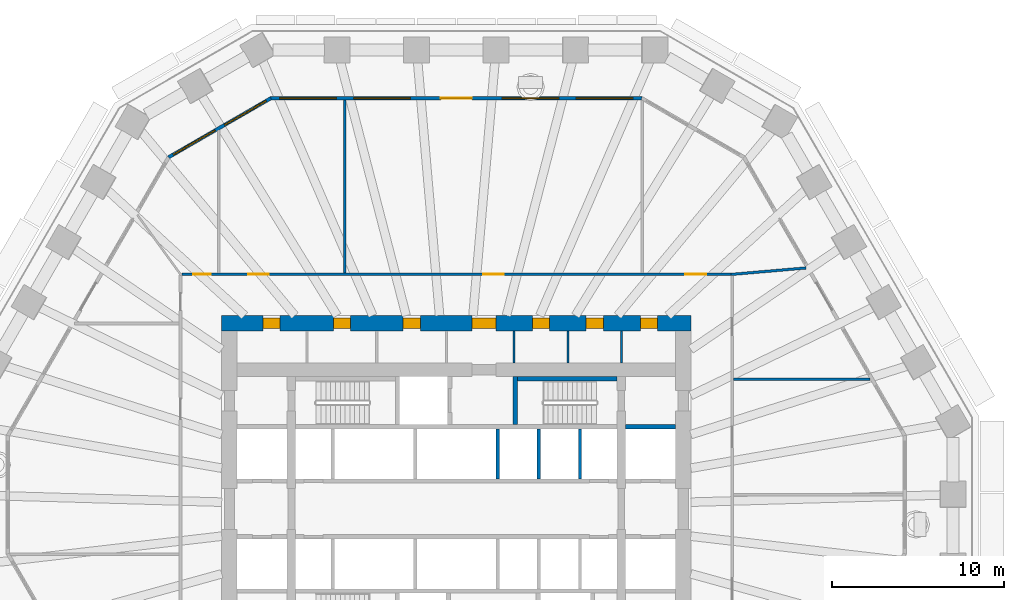
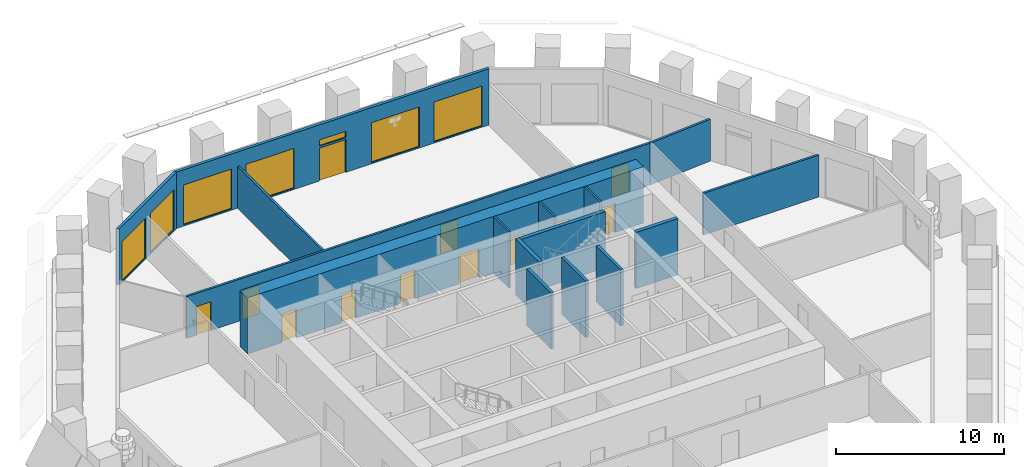
# One storey, part 7 of 12: 16 walls, 12 doors, 7 windows, 19 openings.
"""IFC4 building model written with IfcOpenShell, lengths in metres."""

import ifcopenshell
import ifcopenshell.guid

model = None  # the IFC model being written
_history = None  # IfcOwnerHistory: only IFC2X3 demands one
_inside = {}  # id of a spatial element -> (the spatial element, [elements in it])
_under = {}  # id of a project, library or spatial element -> (it, [spatial elements below it])
_declared = {}  # id of a project -> (the project, [libraries it declares])
_typed = {}  # id of a type object -> (the type object, [elements of that type])
_made_of = {}  # id of a material, layer set ... -> (it, [elements and type objects made of it])


def new_model(schema):
    """Start an empty IFC model of exactly this schema.

    Asked for "IFC4X3", IfcOpenShell would pick the latest addendum, in which some entities
    have other attributes; the version numbers below select the first issue.
    IFC2X3 requires an IfcOwnerHistory on every rooted entity: one is made here for all.
    """
    global model, _history
    if schema == "IFC4X3":
        model = ifcopenshell.file(schema_version=(4, 3, 0, 0))
    else:
        model = ifcopenshell.file(schema=schema)
    _inside.clear()
    _under.clear()
    _declared.clear()
    _typed.clear()
    _made_of.clear()
    _history = None
    if model.schema == "IFC2X3":
        org = make("IfcOrganization", Name="unknown")
        user = make(
            "IfcPersonAndOrganization",
            ThePerson=make("IfcPerson", FamilyName="unknown"),
            TheOrganization=org,
        )
        app = make(
            "IfcApplication",
            ApplicationDeveloper=org,
            Version="unknown",
            ApplicationFullName="unknown",
            ApplicationIdentifier="unknown",
        )
        _history = make(
            "IfcOwnerHistory",
            OwningUser=user,
            OwningApplication=app,
            ChangeAction="ADDED",
            CreationDate=0,
        )
    return model


def make(cls, **values):
    """One entity of the class cls with the attributes given. An attribute that is None is left unset."""
    return model.create_entity(
        cls, **{name: value for name, value in values.items() if value is not None}
    )


def rooted(cls, **values):
    """An entity with a GlobalId (a new one), such as an element, a storey or a relation."""
    return make(cls, GlobalId=ifcopenshell.guid.new(), OwnerHistory=_history, **values)


def si_unit(unit_type, name, prefix=None):
    """IfcSIUnit, for example si_unit("LENGTHUNIT", "METRE", prefix="MILLI")."""
    return make("IfcSIUnit", UnitType=unit_type, Prefix=prefix, Name=name)


def assignment(units):
    """IfcUnitAssignment: the units of a project."""
    return None if units is None else make("IfcUnitAssignment", Units=units)


def point(xyz):
    """IfcCartesianPoint."""
    return None if xyz is None else make("IfcCartesianPoint", Coordinates=xyz)


def direction(xyz):
    """IfcDirection."""
    return None if xyz is None else make("IfcDirection", DirectionRatios=xyz)


def frame(location, z_axis=None, x_axis=None):
    """IfcAxis2Placement3D, a coordinate frame: its origin and axes. An axis left out is left unset."""
    return make(
        "IfcAxis2Placement3D",
        Location=point(location),
        Axis=direction(z_axis),
        RefDirection=direction(x_axis),
    )


def frame_2d(location, x_axis=None):
    """IfcAxis2Placement2D, a coordinate frame in the plane: its origin and x axis."""
    return make(
        "IfcAxis2Placement2D", Location=point(location), RefDirection=direction(x_axis)
    )


def origin():
    """The frame at (0, 0, 0) with its axes left unset."""
    return frame((0.0, 0.0, 0.0))


def place(relative_to, where):
    """IfcLocalPlacement: puts the frame where relative to a parent placement (None: the world)."""
    return make(
        "IfcLocalPlacement", PlacementRelTo=relative_to, RelativePlacement=where
    )


def context(
    kind, dimensions, precision=None, world=None, true_north=None, identifier=None
):
    """IfcGeometricRepresentationContext, for example the 3D "Model" context."""
    return make(
        "IfcGeometricRepresentationContext",
        ContextIdentifier=identifier,
        ContextType=kind,
        CoordinateSpaceDimension=dimensions,
        Precision=precision,
        WorldCoordinateSystem=world,
        TrueNorth=true_north,
    )


def subcontext(parent, identifier, kind, view, scale=None):
    """IfcGeometricRepresentationSubContext, for example "Body" below "Model"."""
    return make(
        "IfcGeometricRepresentationSubContext",
        ContextIdentifier=identifier,
        ContextType=kind,
        ParentContext=parent,
        TargetScale=scale,
        TargetView=view,
    )


def project(units=None, contexts=None):
    """IfcProject with its units and contexts."""
    return rooted(
        "IfcProject",
        Name="project",
        RepresentationContexts=contexts,
        UnitsInContext=assignment(units),
    )


def spatial(cls, under=None, at=None, **own):
    """A site, building, storey or space (cls), placed at a placement, below another one or the project."""
    s = rooted(cls, ObjectPlacement=at, **own)
    if under is not None:
        _under.setdefault(under.id(), (under, []))[1].append(s)
    return s


def polyline(points):
    """IfcPolyline through the points."""
    return make("IfcPolyline", Points=[point(p) for p in points])


def profile(cls, at=None, kind="AREA", **sizes):
    """A parametric profile (cls). Its sizes go by their IFC names, for example OverallWidth=200.0."""
    return make(cls, ProfileType=kind, Position=at, **sizes)


def rectangle(**sizes):
    """IfcRectangleProfileDef."""
    return profile("IfcRectangleProfileDef", **sizes)


def outline(outer, holes=None, kind="AREA"):
    """IfcArbitraryClosedProfileDef: a profile drawn as a closed curve; with holes, ...WithVoids."""
    if holes is None:
        return make("IfcArbitraryClosedProfileDef", ProfileType=kind, OuterCurve=outer)
    return make(
        "IfcArbitraryProfileDefWithVoids",
        ProfileType=kind,
        OuterCurve=outer,
        InnerCurves=holes,
    )


def extrude(swept, where, along, depth):
    """IfcExtrudedAreaSolid: the profile swept, set in the frame where, extruded along a direction by depth."""
    return make(
        "IfcExtrudedAreaSolid",
        SweptArea=swept,
        Position=where,
        ExtrudedDirection=direction(along),
        Depth=depth,
    )


def shape(context_of_items, identifier, shape_type, items):
    """IfcShapeRepresentation: the items that make up one representation, for example the "Body"."""
    return make(
        "IfcShapeRepresentation",
        ContextOfItems=context_of_items,
        RepresentationIdentifier=identifier,
        RepresentationType=shape_type,
        Items=items,
    )


def material(Name=None, Category=None):
    """IfcMaterial."""
    return make("IfcMaterial", Name=Name, Category=Category)


def layer(
    of_material, thickness, ventilated=None, Name=None, Category=None, Priority=None
):
    """IfcMaterialLayer: one layer of a wall or slab, of a material (None: an air gap)."""
    return make(
        "IfcMaterialLayer",
        Material=of_material,
        LayerThickness=thickness,
        IsVentilated=ventilated,
        Name=Name,
        Category=Category,
        Priority=Priority,
    )


def layer_set(layers, Name=None):
    """IfcMaterialLayerSet."""
    return make("IfcMaterialLayerSet", MaterialLayers=layers, LayerSetName=Name)


def made_of(thing, what):
    """Note that an element or type object is made of a material, layer set ...; save() writes the relation."""
    if what is not None:
        _made_of.setdefault(what.id(), (what, []))[1].append(thing)
    return thing


def type_object(cls, material=None, **own):
    """A type object (cls), such as IfcWallType, which elements share."""
    return made_of(rooted(cls, **own), material)


def element(
    cls,
    number,
    at=None,
    inside=None,
    cuts=None,
    type_object=None,
    material=None,
    context=None,
    identifier="Body",
    shape_type=None,
    held_by="IfcProductDefinitionShape",
    body=None,
    shapes=None,
    **own,
):
    """One element of the class cls, such as IfcWall. Its Tag is "e" and its number.

    at: its placement. inside: the storey or other place that contains it. cuts: it is an
    opening in that element (IfcRelVoidsElement). A single representation is given by context,
    identifier, shape_type and body (its items); several are given by shapes. held_by: the class
    of the entity that holds the representations. save() writes the other relations.
    """
    e = rooted(cls, Tag="e%d" % number, ObjectPlacement=at, **own)
    if body is not None:
        shapes = [shape(context, identifier, shape_type, body)]
    if shapes is not None:
        e.Representation = make(held_by, Representations=shapes)
    if inside is not None:
        _inside.setdefault(inside.id(), (inside, []))[1].append(e)
    if cuts is not None:
        rooted(
            "IfcRelVoidsElement", RelatingBuildingElement=cuts, RelatedOpeningElement=e
        )
    if type_object is not None:
        _typed.setdefault(type_object.id(), (type_object, []))[1].append(e)
    return made_of(e, material)


def fill(opening, filler):
    """IfcRelFillsElement: the door or window that sits in an opening."""
    return rooted(
        "IfcRelFillsElement",
        RelatingOpeningElement=opening,
        RelatedBuildingElement=filler,
    )


def aggregate(whole, parts):
    """IfcRelAggregates: a whole, such as a stair, and the parts it consists of."""
    return rooted("IfcRelAggregates", RelatingObject=whole, RelatedObjects=parts)


def save(model, path):
    """Write the relations noted so far, then the file.

    IfcRelAggregates (storeys below a building ...), IfcRelContainedInSpatialStructure (elements
    in a storey), IfcRelDefinesByType, IfcRelAssociatesMaterial and IfcRelDeclares: one each for
    every whole, place, type object, material and project.
    """
    for whole, parts in _under.values():
        aggregate(whole, parts)
    for where, things in _inside.values():
        rooted(
            "IfcRelContainedInSpatialStructure",
            RelatedElements=things,
            RelatingStructure=where,
        )
    for kind, things in _typed.values():
        rooted("IfcRelDefinesByType", RelatedObjects=things, RelatingType=kind)
    for what, things in _made_of.values():
        rooted("IfcRelAssociatesMaterial", RelatedObjects=things, RelatingMaterial=what)
    for by, libraries in _declared.values():
        rooted("IfcRelDeclares", RelatingContext=by, RelatedDefinitions=libraries)
    model.write(path)


model = new_model("IFC4")

# Units and contexts
model_context = context("Model", 3, precision=1e-05, world=origin(), true_north=direction((0.0, 1.0)))
body_context = subcontext(model_context, "Body", "Model", "MODEL_VIEW")
ifc_project = project(units=[si_unit("LENGTHUNIT", "METRE"), si_unit("AREAUNIT", "SQUARE_METRE"), si_unit("VOLUMEUNIT", "CUBIC_METRE"), si_unit("PLANEANGLEUNIT", "RADIAN"), si_unit("MASSUNIT", "GRAM", prefix="KILO")], contexts=[model_context])

# Site, building, storey
site_placement = place(None, origin())
site = spatial("IfcSite", under=ifc_project, at=site_placement, CompositionType="ELEMENT")
building_placement = place(site_placement, origin())
building = spatial("IfcBuilding", under=site, at=building_placement, Name="Frailejon Research Tower", CompositionType="ELEMENT")
storey_placement = place(building_placement, frame((0.0, 0.0, 41.0)))
storey = spatial("IfcBuildingStorey", under=building, at=storey_placement, Name="L09", CompositionType="ELEMENT", Elevation=41.0)

# Walls
ifc_material_1 = material(Name="Plasterboard on steel studs", Category="steel")
ifc_layer_1 = layer(ifc_material_1, 0.125)
ifc_layer_set_1 = layer_set([ifc_layer_1], Name="Core partition 125")
wall_type_1 = type_object("IfcWallType", Name="Core partition 125", PredefinedType="PARTITIONING", material=ifc_layer_set_1)
for number, where, z_axis, x_axis, name in (
    (1, (3.362548828125, 8.5, 0.0), (0.0, 0.0, 1.0), (0.0, 1.0, 0.0), "Core partition"),
    (2, (6.49169921875, 8.5, 0.0), (0.0, 0.0, 1.0), (0.0, 1.0, 0.0), "Core partition"),
    (3, (9.620849609375, 8.5, 0.0), (0.0, 0.0, 1.0), (0.0, 1.0, 0.0), "Core partition"),
):
    element("IfcWall", number, at=place(storey_placement, frame(where, z_axis=z_axis, x_axis=x_axis)), inside=storey, type_object=wall_type_1, Name=name, PredefinedType="PARTITIONING", context=body_context, shape_type="SweptSolid", body=[
        extrude(rectangle(XDim=1.85009765625, YDim=0.125, at=frame_2d((0.925048828125, 0.0))), origin(), (0.0, 0.0, 1.0), 4.10009765625),
    ])

# Wall, openings, doors
ifc_material_2 = material(Name="Concrete C70/85", Category="concrete")
ifc_layer_2 = layer(ifc_material_2, 0.89990234375)
ifc_layer_set_2 = layer_set([ifc_layer_2], Name="Core shear wall 900 C70/85")
wall_type_2 = type_object("IfcWallType", Name="Core shear wall 900 C70/85", PredefinedType="SHEAR", material=ifc_layer_set_2)
wall_1_placement = place(storey_placement, frame((-13.64990234375, 10.800048828125, 0.0), z_axis=(0.0, 0.0, 1.0), x_axis=(1.0, 0.0, 0.0)))
wall_1 = element("IfcWall", 4, at=wall_1_placement, inside=storey, type_object=wall_type_2, Name="Core shear wall", PredefinedType="SHEAR", context=body_context, shape_type="SweptSolid", body=[
    extrude(rectangle(XDim=27.2998046875, YDim=0.89990234375, at=frame_2d((13.64990234375, 0.0))), origin(), (0.0, 0.0, 1.0), 4.10009765625),
])
opening_1_placement = place(wall_1_placement, frame((2.39990234375, 0.0, 0.0)))
opening_1 = element("IfcOpeningElement", 5, at=opening_1_placement, cuts=wall_1, Name="Opening D4", PredefinedType="OPENING", context=body_context, shape_type="SweptSolid", body=[
    extrude(rectangle(XDim=1.0, YDim=2.10009765625, at=frame_2d((0.5, 1.050048828125))), frame((0.0, 0.4599609375, 0.0), z_axis=(0.0, -1.0, 0.0), x_axis=(1.0, 0.0, 0.0)), (0.0, 0.0, 1.0), 0.919921875),
])
opening_2_placement = place(wall_1_placement, frame((6.49365234375, 0.0, 0.0)))
opening_2 = element("IfcOpeningElement", 6, at=opening_2_placement, cuts=wall_1, Name="Opening D4", PredefinedType="OPENING", context=body_context, shape_type="SweptSolid", body=[
    extrude(rectangle(XDim=1.0, YDim=2.10009765625, at=frame_2d((0.5, 1.050048828125))), frame((0.0, 0.4599609375, 0.0), z_axis=(0.0, -1.0, 0.0), x_axis=(1.0, 0.0, 0.0)), (0.0, 0.0, 1.0), 0.919921875),
])
opening_3_placement = place(wall_1_placement, frame((10.55615234375, 0.0, 0.0)))
opening_3 = element("IfcOpeningElement", 7, at=opening_3_placement, cuts=wall_1, Name="Opening D4", PredefinedType="OPENING", context=body_context, shape_type="SweptSolid", body=[
    extrude(rectangle(XDim=1.0, YDim=2.10009765625, at=frame_2d((0.5, 1.050048828125))), frame((0.0, 0.4599609375, 0.0), z_axis=(0.0, -1.0, 0.0), x_axis=(1.0, 0.0, 0.0)), (0.0, 0.0, 1.0), 0.919921875),
])
opening_4_placement = place(wall_1_placement, frame((18.0771484375, 0.0, 0.0)))
opening_4 = element("IfcOpeningElement", 8, at=opening_4_placement, cuts=wall_1, Name="Opening D4", PredefinedType="OPENING", context=body_context, shape_type="SweptSolid", body=[
    extrude(rectangle(XDim=1.0, YDim=2.10009765625, at=frame_2d((0.5, 1.050048828125))), frame((0.0, 0.4599609375, 0.0), z_axis=(0.0, -1.0, 0.0), x_axis=(1.0, 0.0, 0.0)), (0.0, 0.0, 1.0), 0.919921875),
])
opening_5_placement = place(wall_1_placement, frame((21.206298828125, 0.0, 0.0)))
opening_5 = element("IfcOpeningElement", 9, at=opening_5_placement, cuts=wall_1, Name="Opening D4", PredefinedType="OPENING", context=body_context, shape_type="SweptSolid", body=[
    extrude(rectangle(XDim=1.0, YDim=2.10009765625, at=frame_2d((0.5, 1.050048828125))), frame((0.0, 0.4599609375, 0.0), z_axis=(0.0, -1.0, 0.0), x_axis=(1.0, 0.0, 0.0)), (0.0, 0.0, 1.0), 0.919921875),
])
opening_6_placement = place(wall_1_placement, frame((24.36669921875, 0.0, 0.0)))
opening_6 = element("IfcOpeningElement", 10, at=opening_6_placement, cuts=wall_1, Name="Opening D4", PredefinedType="OPENING", context=body_context, shape_type="SweptSolid", body=[
    extrude(rectangle(XDim=1.0, YDim=2.10009765625, at=frame_2d((0.5, 1.050048828125))), frame((0.0, 0.4599609375, 0.0), z_axis=(0.0, -1.0, 0.0), x_axis=(1.0, 0.0, 0.0)), (0.0, 0.0, 1.0), 0.919921875),
])
opening_7_placement = place(wall_1_placement, frame((14.574951171875, 0.0, 0.0)))
opening_7 = element("IfcOpeningElement", 11, at=opening_7_placement, cuts=wall_1, Name="Opening D9", PredefinedType="OPENING", context=body_context, shape_type="SweptSolid", body=[
    extrude(rectangle(XDim=1.39990234375, YDim=2.10009765625, at=frame_2d((0.699951171875, 1.050048828125))), frame((0.0, 0.4599609375, 0.0), z_axis=(0.0, -1.0, 0.0), x_axis=(1.0, 0.0, 0.0)), (0.0, 0.0, 1.0), 0.919921875),
])
ifc_material_3 = material(Name="Steel", Category="steel")
door_type_1 = type_object("IfcDoorType", Name="Goods lobby door", OperationType="DOUBLE_DOOR_SINGLE_SWING", PredefinedType="DOOR", material=ifc_material_3)
door_1_placement = place(opening_7_placement, origin())
door_1 = element("IfcDoor", 12, at=door_1_placement, inside=storey, type_object=door_type_1, Name="Passage door", OperationType="DOUBLE_DOOR_SINGLE_SWING", OverallHeight=2.10009765625, OverallWidth=1.39990234375, PredefinedType="DOOR", context=body_context, shape_type="SweptSolid", body=[
    extrude(rectangle(XDim=1.39990234375, YDim=2.10009765625, at=frame_2d((0.699951171875, 1.050048828125))), frame((0.0, 0.300048828125, 0.0), z_axis=(0.0, -1.0, 0.0), x_axis=(1.0, 0.0, 0.0)), (0.0, 0.0, 1.0), 0.60009765625),
])
fill(opening_7, door_1)
ifc_material_4 = material(Name="Steel", Category="steel")
door_type_2 = type_object("IfcDoorType", Name="Service door", OperationType="SINGLE_SWING_LEFT", PredefinedType="DOOR", material=ifc_material_4)
door_2_placement = place(opening_1_placement, origin())
door_2 = element("IfcDoor", 13, at=door_2_placement, inside=storey, type_object=door_type_2, Name="Room door", OperationType="SINGLE_SWING_RIGHT", OverallHeight=2.10009765625, OverallWidth=1.0, PredefinedType="DOOR", context=body_context, shape_type="SweptSolid", body=[
    extrude(rectangle(XDim=1.0, YDim=2.10009765625, at=frame_2d((0.5, 1.050048828125))), frame((0.0, 0.300048828125, 0.0), z_axis=(0.0, -1.0, 0.0), x_axis=(1.0, 0.0, 0.0)), (0.0, 0.0, 1.0), 0.60009765625),
])
fill(opening_1, door_2)
door_3_placement = place(opening_2_placement, origin())
door_3 = element("IfcDoor", 14, at=door_3_placement, inside=storey, type_object=door_type_2, Name="Room door", OperationType="SINGLE_SWING_LEFT", OverallHeight=2.10009765625, OverallWidth=1.0, PredefinedType="DOOR", context=body_context, shape_type="SweptSolid", body=[
    extrude(rectangle(XDim=1.0, YDim=2.10009765625, at=frame_2d((0.5, 1.050048828125))), frame((0.0, 0.300048828125, 0.0), z_axis=(0.0, -1.0, 0.0), x_axis=(1.0, 0.0, 0.0)), (0.0, 0.0, 1.0), 0.60009765625),
])
fill(opening_2, door_3)
door_4_placement = place(opening_3_placement, origin())
door_4 = element("IfcDoor", 15, at=door_4_placement, inside=storey, type_object=door_type_2, Name="Room door", OperationType="SINGLE_SWING_RIGHT", OverallHeight=2.10009765625, OverallWidth=1.0, PredefinedType="DOOR", context=body_context, shape_type="SweptSolid", body=[
    extrude(rectangle(XDim=1.0, YDim=2.10009765625, at=frame_2d((0.5, 1.050048828125))), frame((0.0, 0.300048828125, 0.0), z_axis=(0.0, -1.0, 0.0), x_axis=(1.0, 0.0, 0.0)), (0.0, 0.0, 1.0), 0.60009765625),
])
fill(opening_3, door_4)
door_5_placement = place(opening_4_placement, origin())
door_5 = element("IfcDoor", 16, at=door_5_placement, inside=storey, type_object=door_type_2, Name="Room door", OperationType="SINGLE_SWING_LEFT", OverallHeight=2.10009765625, OverallWidth=1.0, PredefinedType="DOOR", context=body_context, shape_type="SweptSolid", body=[
    extrude(rectangle(XDim=1.0, YDim=2.10009765625, at=frame_2d((0.5, 1.050048828125))), frame((0.0, 0.300048828125, 0.0), z_axis=(0.0, -1.0, 0.0), x_axis=(1.0, 0.0, 0.0)), (0.0, 0.0, 1.0), 0.60009765625),
])
fill(opening_4, door_5)
door_6_placement = place(opening_5_placement, origin())
door_6 = element("IfcDoor", 17, at=door_6_placement, inside=storey, type_object=door_type_2, Name="Room door", OperationType="SINGLE_SWING_RIGHT", OverallHeight=2.10009765625, OverallWidth=1.0, PredefinedType="DOOR", context=body_context, shape_type="SweptSolid", body=[
    extrude(rectangle(XDim=1.0, YDim=2.10009765625, at=frame_2d((0.5, 1.050048828125))), frame((0.0, 0.300048828125, 0.0), z_axis=(0.0, -1.0, 0.0), x_axis=(1.0, 0.0, 0.0)), (0.0, 0.0, 1.0), 0.60009765625),
])
fill(opening_5, door_6)
door_7_placement = place(opening_6_placement, origin())
door_7 = element("IfcDoor", 18, at=door_7_placement, inside=storey, type_object=door_type_2, Name="Room door", OperationType="SINGLE_SWING_LEFT", OverallHeight=2.10009765625, OverallWidth=1.0, PredefinedType="DOOR", context=body_context, shape_type="SweptSolid", body=[
    extrude(rectangle(XDim=1.0, YDim=2.10009765625, at=frame_2d((0.5, 1.050048828125))), frame((0.0, 0.300048828125, 0.0), z_axis=(0.0, -1.0, 0.0), x_axis=(1.0, 0.0, 0.0)), (0.0, 0.0, 1.0), 0.60009765625),
])
fill(opening_6, door_7)

ifc_material_5 = material(Name="Gypsum board and masonry partition", Category="masonry")
ifc_layer_3 = layer(ifc_material_5, 0.14990234375)
ifc_layer_set_3 = layer_set([ifc_layer_3], Name="Corridor wall EI 60, gypsum on steel studs 150")
wall_type_3 = type_object("IfcWallType", Name="Corridor wall EI 60, gypsum on steel studs 150", PredefinedType="PARTITIONING", material=ifc_layer_set_3)
wall_2_placement = place(storey_placement, frame((-15.97509765625, 13.64990234375, 0.0), z_axis=(0.0, 0.0, 1.0), x_axis=(1.0, 0.0, 0.0)))
wall_2 = element("IfcWall", 19, at=wall_2_placement, inside=storey, type_object=wall_type_3, Name="T:IW:L09:002", PredefinedType="PARTITIONING", context=body_context, shape_type="SweptSolid", body=[
    extrude(rectangle(XDim=31.9501953125, YDim=0.14990234375, at=frame_2d((15.97509765625, 0.0))), origin(), (0.0, 0.0, 1.0), 3.050048828125),
])
opening_8_placement = place(wall_2_placement, frame((29.3076171875, 0.0, 0.0)))
opening_8 = element("IfcOpeningElement", 20, at=opening_8_placement, cuts=wall_2, Name="Opening D1374", PredefinedType="OPENING", context=body_context, shape_type="SweptSolid", body=[
    extrude(rectangle(XDim=1.199951171875, YDim=2.10009765625, at=frame_2d((0.60009765625, 1.050048828125))), frame((0.0, 0.0849609375, 0.0), z_axis=(0.0, -1.0, 0.0), x_axis=(1.0, 0.0, 0.0)), (0.0, 0.0, 1.0), 0.169921875),
])
opening_9_placement = place(wall_2_placement, frame((17.537841796875, 0.0, 0.0)))
opening_9 = element("IfcOpeningElement", 21, at=opening_9_placement, cuts=wall_2, Name="Opening D1375", PredefinedType="OPENING", context=body_context, shape_type="SweptSolid", body=[
    extrude(rectangle(XDim=1.199951171875, YDim=2.10009765625, at=frame_2d((0.60009765625, 1.050048828125))), frame((0.0, 0.0849609375, 0.0), z_axis=(0.0, -1.0, 0.0), x_axis=(1.0, 0.0, 0.0)), (0.0, 0.0, 1.0), 0.169921875),
])
opening_10_placement = place(wall_2_placement, frame((3.866943359375, 0.0, 0.0)))
opening_10 = element("IfcOpeningElement", 22, at=opening_10_placement, cuts=wall_2, Name="Opening D1376", PredefinedType="OPENING", context=body_context, shape_type="SweptSolid", body=[
    extrude(rectangle(XDim=1.199951171875, YDim=2.10009765625, at=frame_2d((0.60009765625, 1.050048828125))), frame((0.0, 0.0849609375, 0.0), z_axis=(0.0, -1.0, 0.0), x_axis=(1.0, 0.0, 0.0)), (0.0, 0.0, 1.0), 0.169921875),
])
opening_11_placement = place(wall_2_placement, frame((0.6767578125, 0.0, 0.0)))
opening_11 = element("IfcOpeningElement", 23, at=opening_11_placement, cuts=wall_2, Name="Opening D1377", PredefinedType="OPENING", context=body_context, shape_type="SweptSolid", body=[
    extrude(rectangle(XDim=1.0, YDim=2.10009765625, at=frame_2d((0.5, 1.050048828125))), frame((0.0, 0.0849609375, 0.0), z_axis=(0.0, -1.0, 0.0), x_axis=(1.0, 0.0, 0.0)), (0.0, 0.0, 1.0), 0.169921875),
])
ifc_material_6 = material(Name="Timber door leaf", Category="wood")
door_type_3 = type_object("IfcDoorType", Name="Door laboratory, timber, vision panel 1200", OperationType="NOTDEFINED", PredefinedType="DOOR", material=ifc_material_6)
door_8_placement = place(opening_8_placement, origin())
door_8 = element("IfcDoor", 24, at=door_8_placement, inside=storey, type_object=door_type_3, Name="D1374", OperationType="DOUBLE_DOOR_SINGLE_SWING", OverallHeight=2.10009765625, OverallWidth=1.199951171875, PredefinedType="DOOR", context=body_context, shape_type="SweptSolid", body=[
    extrude(rectangle(XDim=1.199951171875, YDim=2.10009765625, at=frame_2d((0.60009765625, 1.050048828125))), frame((0.0, 0.02490234375, 0.0), z_axis=(0.0, -1.0, 0.0), x_axis=(1.0, 0.0, 0.0)), (0.0, 0.0, 1.0), 0.050048828125),
])
fill(opening_8, door_8)
door_9_placement = place(opening_9_placement, origin())
door_9 = element("IfcDoor", 25, at=door_9_placement, inside=storey, type_object=door_type_3, Name="D1375", OperationType="DOUBLE_DOOR_SINGLE_SWING", OverallHeight=2.10009765625, OverallWidth=1.199951171875, PredefinedType="DOOR", context=body_context, shape_type="SweptSolid", body=[
    extrude(rectangle(XDim=1.199951171875, YDim=2.10009765625, at=frame_2d((0.60009765625, 1.050048828125))), frame((0.0, 0.02490234375, 0.0), z_axis=(0.0, -1.0, 0.0), x_axis=(1.0, 0.0, 0.0)), (0.0, 0.0, 1.0), 0.050048828125),
])
fill(opening_9, door_9)
door_10_placement = place(opening_10_placement, origin())
door_10 = element("IfcDoor", 26, at=door_10_placement, inside=storey, type_object=door_type_3, Name="D1376", OperationType="DOUBLE_DOOR_SINGLE_SWING", OverallHeight=2.10009765625, OverallWidth=1.199951171875, PredefinedType="DOOR", context=body_context, shape_type="SweptSolid", body=[
    extrude(rectangle(XDim=1.199951171875, YDim=2.10009765625, at=frame_2d((0.60009765625, 1.050048828125))), frame((0.0, 0.02490234375, 0.0), z_axis=(0.0, -1.0, 0.0), x_axis=(1.0, 0.0, 0.0)), (0.0, 0.0, 1.0), 0.050048828125),
])
fill(opening_10, door_10)
ifc_material_7 = material(Name="Timber door leaf", Category="wood")
door_type_4 = type_object("IfcDoorType", Name="Door single leaf, timber, steel frame 1000", OperationType="NOTDEFINED", PredefinedType="DOOR", material=ifc_material_7)
door_11_placement = place(opening_11_placement, origin())
door_11 = element("IfcDoor", 27, at=door_11_placement, inside=storey, type_object=door_type_4, Name="D1377", OperationType="SINGLE_SWING_RIGHT", OverallHeight=2.10009765625, OverallWidth=1.0, PredefinedType="DOOR", context=body_context, shape_type="SweptSolid", body=[
    extrude(rectangle(XDim=1.0, YDim=2.10009765625, at=frame_2d((0.5, 1.050048828125))), frame((0.0, 0.02490234375, 0.0), z_axis=(0.0, -1.0, 0.0), x_axis=(1.0, 0.0, 0.0)), (0.0, 0.0, 1.0), 0.050048828125),
])
fill(opening_11, door_11)

# Walls
ifc_material_8 = material(Name="Gypsum board and masonry partition", Category="masonry")
ifc_layer_4 = layer(ifc_material_8, 0.14990234375)
ifc_layer_set_4 = layer_set([ifc_layer_4], Name="Laboratory partition, blockwork 150")
wall_type_4 = type_object("IfcWallType", Name="Laboratory partition, blockwork 150", PredefinedType="PARTITIONING", material=ifc_layer_set_4)
wall_3_placement = place(storey_placement, frame((16.125, 7.542236328125, 0.0), z_axis=(0.0, 0.0, 1.0), x_axis=(1.0, 0.0, 0.0)))
element("IfcWall", 28, at=wall_3_placement, inside=storey, type_object=wall_type_4, Name="T:IW:L09:005", PredefinedType="PARTITIONING", context=body_context, shape_type="SweptSolid", body=[
    extrude(rectangle(XDim=7.96044921875, YDim=0.14990234375, at=frame_2d((3.980224609375, 0.0))), origin(), (0.0, 0.0, 1.0), 3.050048828125),
])
wall_4_placement = place(storey_placement, frame((15.975341796875, 13.6435546875, 0.0), z_axis=(0.0, 0.0, 1.0), x_axis=(0.99631002268, 0.085827377373, 0.0)))
element("IfcWall", 29, at=wall_4_placement, inside=storey, type_object=wall_type_4, Name="T:IW:L09:007", PredefinedType="PARTITIONING", context=body_context, shape_type="SweptSolid", body=[
    extrude(rectangle(XDim=4.38623046875, YDim=0.14990234375, at=frame_2d((2.193115234375, 0.0))), origin(), (0.0, 0.0, 1.0), 3.050048828125),
])
wall_5_placement = place(storey_placement, frame((-6.488525390625, 13.72509765625, 0.0), z_axis=(0.0, 0.0, 1.0), x_axis=(0.0, 1.0, 0.0)))
element("IfcWall", 30, at=wall_5_placement, inside=storey, type_object=wall_type_4, Name="T:IW:L09:009", PredefinedType="PARTITIONING", context=body_context, shape_type="SweptSolid", body=[
    extrude(rectangle(XDim=10.074951171875, YDim=0.14990234375, at=frame_2d((5.03759765625, 0.0))), origin(), (0.0, 0.0, 1.0), 3.050048828125),
])
ifc_material_9 = material(Name="Concrete C70/85", Category="concrete")
ifc_layer_5 = layer(ifc_material_9, 0.199951171875)
ifc_layer_set_5 = layer_set([ifc_layer_5], Name="Shaft wall 200 C70/85")
wall_type_5 = type_object("IfcWallType", Name="Shaft wall 200 C70/85", PredefinedType="SOLIDWALL", material=ifc_layer_set_5)
for number, where, z_axis, x_axis, name in (
    (31, (2.39990234375, 1.75, 0.0), (0.0, 0.0, 1.0), (0.0, 1.0, 0.0), "Shaft wall"),
    (32, (4.800048828125, 1.75, 0.0), (0.0, 0.0, 1.0), (0.0, 1.0, 0.0), "Shaft wall"),
    (33, (7.199951171875, 1.75, 0.0), (0.0, 0.0, 1.0), (0.0, 1.0, 0.0), "Shaft wall"),
):
    element("IfcWall", number, at=place(storey_placement, frame(where, z_axis=z_axis, x_axis=x_axis)), inside=storey, type_object=wall_type_5, Name=name, PredefinedType="SOLIDWALL", context=body_context, shape_type="SweptSolid", body=[
        extrude(rectangle(XDim=2.89990234375, YDim=0.199951171875, at=frame_2d((1.449951171875, 0.0))), origin(), (0.0, 0.0, 1.0), 4.10009765625),
    ])
ifc_material_10 = material(Name="Concrete C70/85", Category="concrete")
ifc_layer_6 = layer(ifc_material_10, 0.25)
ifc_layer_set_6 = layer_set([ifc_layer_6], Name="Shaft wall 250 C70/85")
wall_type_6 = type_object("IfcWallType", Name="Shaft wall 250 C70/85", PredefinedType="SOLIDWALL", material=ifc_layer_set_6)
wall_6_placement = place(storey_placement, frame((9.85009765625, 4.77490234375, 0.0), z_axis=(0.0, 0.0, 1.0), x_axis=(1.0, 0.0, 0.0)))
element("IfcWall", 34, at=wall_6_placement, inside=storey, type_object=wall_type_6, Name="Shaft wall", PredefinedType="SOLIDWALL", context=body_context, shape_type="SweptSolid", body=[
    extrude(rectangle(XDim=2.89990234375, YDim=0.25, at=frame_2d((1.449951171875, 0.0))), origin(), (0.0, 0.0, 1.0), 4.10009765625),
])
wall_7_placement = place(storey_placement, frame((3.550048828125, 7.574951171875, 0.0), z_axis=(0.0, 0.0, 1.0), x_axis=(1.0, 0.0, 0.0)))
element("IfcWall", 35, at=wall_7_placement, inside=storey, type_object=wall_type_6, Name="Shaft wall", PredefinedType="SOLIDWALL", context=body_context, shape_type="SweptSolid", body=[
    extrude(rectangle(XDim=5.800048828125, YDim=0.25, at=frame_2d((2.89990234375, 0.0))), origin(), (0.0, 0.0, 1.0), 4.10009765625),
])
wall_8_placement = place(storey_placement, frame((3.425048828125, 4.89990234375, 0.0), z_axis=(0.0, 0.0, 1.0), x_axis=(0.0, 1.0, 0.0)))
element("IfcWall", 36, at=wall_8_placement, inside=storey, type_object=wall_type_6, Name="Shaft wall", PredefinedType="SOLIDWALL", context=body_context, shape_type="SweptSolid", body=[
    extrude(rectangle(XDim=2.800048828125, YDim=0.25, at=frame_2d((1.39990234375, 0.0))), origin(), (0.0, 0.0, 1.0), 4.10009765625),
])

# Wall, openings, door, windows
ifc_material_11 = material(Name="Concrete C40/50 precast window wall panel", Category="concrete")
ifc_layer_7 = layer(ifc_material_11, 0.199951171875)
ifc_layer_set_7 = layer_set([ifc_layer_7], Name="Window wall 200")
wall_type_7 = type_object("IfcWallType", Name="Window wall 200", PredefinedType="SOLIDWALL", material=ifc_layer_set_7)
wall_9_placement = place(storey_placement, frame((10.78759765625, 23.89990234375, 0.0), z_axis=(0.0, 0.0, 1.0), x_axis=(-1.0, 0.0, 0.0)))
wall_9 = element("IfcWall", 37, at=wall_9_placement, inside=storey, type_object=wall_type_7, Name="Exterior wall L09", PredefinedType="SOLIDWALL", context=body_context, shape_type="SweptSolid", body=[
    extrude(outline(polyline([(-0.02685546875, -0.10009765625), (1.003173828125, -0.10009765625), (2.032958984375, -0.10009765625), (3.06298828125, -0.10009765625), (4.093017578125, -0.10009765625), (5.122802734375, -0.10009765625), (6.15283203125, -0.10009765625), (7.182861328125, -0.10009765625), (8.212646484375, -0.10009765625), (9.24267578125, -0.10009765625), (10.272705078125, -0.10009765625), (11.302490234375, -0.10009765625), (12.33251953125, -0.10009765625), (13.362548828125, -0.10009765625), (14.392333984375, -0.10009765625), (15.42236328125, -0.10009765625), (16.452392578125, -0.10009765625), (17.482177734375, -0.10009765625), (18.51220703125, -0.10009765625), (19.542236328125, -0.10009765625), (20.572021484375, -0.10009765625), (21.60205078125, -0.10009765625), (21.54833984375, 0.10009765625), (20.5234375, 0.10009765625), (19.498779296875, 0.10009765625), (18.473876953125, 0.10009765625), (17.448974609375, 0.10009765625), (16.424072265625, 0.10009765625), (15.3994140625, 0.10009765625), (14.37451171875, 0.10009765625), (13.349609375, 0.10009765625), (12.324951171875, 0.10009765625), (11.300048828125, 0.10009765625), (10.275146484375, 0.10009765625), (9.250244140625, 0.10009765625), (8.2255859375, 0.10009765625), (7.20068359375, 0.10009765625), (6.17578125, 0.10009765625), (5.151123046875, 0.10009765625), (4.126220703125, 0.10009765625), (3.101318359375, 0.10009765625), (2.076416015625, 0.10009765625), (1.0517578125, 0.10009765625), (0.02685546875, 0.10009765625), (-0.02685546875, -0.10009765625)])), origin(), (0.0, 0.0, 1.0), 4.10009765625),
])
opening_12_placement = place(wall_9_placement, frame((0.507568359375, 0.0, 0.10009765625)))
opening_12 = element("IfcOpeningElement", 38, at=opening_12_placement, cuts=wall_9, Name="Opening W5", PredefinedType="OPENING", context=body_context, shape_type="SweptSolid", body=[
    extrude(rectangle(XDim=3.300048828125, YDim=2.89990234375, at=frame_2d((1.64990234375, 1.449951171875))), frame((0.0, 0.10986328125, 0.0), z_axis=(0.0, -1.0, 0.0), x_axis=(1.0, 0.0, 0.0)), (0.0, 0.0, 1.0), 0.219970703125),
])
opening_13_placement = place(wall_9_placement, frame((4.822509765625, 0.0, 0.10009765625)))
opening_13 = element("IfcOpeningElement", 39, at=opening_13_placement, cuts=wall_9, Name="Opening W5", PredefinedType="OPENING", context=body_context, shape_type="SweptSolid", body=[
    extrude(rectangle(XDim=3.300048828125, YDim=2.89990234375, at=frame_2d((1.64990234375, 1.449951171875))), frame((0.0, 0.10986328125, 0.0), z_axis=(0.0, -1.0, 0.0), x_axis=(1.0, 0.0, 0.0)), (0.0, 0.0, 1.0), 0.219970703125),
])
opening_14_placement = place(wall_9_placement, frame((9.8876953125, 0.0, 0.0)))
opening_14 = element("IfcOpeningElement", 40, at=opening_14_placement, cuts=wall_9, Name="Opening LG09-2", PredefinedType="OPENING", context=body_context, shape_type="SweptSolid", body=[
    extrude(rectangle(XDim=1.800048828125, YDim=2.39990234375, at=frame_2d((0.89990234375, 1.199951171875))), frame((0.0, 0.10986328125, 0.0), z_axis=(0.0, -1.0, 0.0), x_axis=(1.0, 0.0, 0.0)), (0.0, 0.0, 1.0), 0.219970703125),
])
opening_15_placement = place(wall_9_placement, frame((9.8876953125, 0.0, 2.550048828125)))
opening_15 = element("IfcOpeningElement", 41, at=opening_15_placement, cuts=wall_9, Name="Opening W1", PredefinedType="OPENING", context=body_context, shape_type="SweptSolid", body=[
    extrude(rectangle(XDim=1.800048828125, YDim=0.449951171875, at=frame_2d((0.89990234375, 0.22509765625))), frame((0.0, 0.10986328125, 0.0), z_axis=(0.0, -1.0, 0.0), x_axis=(1.0, 0.0, 0.0)), (0.0, 0.0, 1.0), 0.219970703125),
])
opening_16_placement = place(wall_9_placement, frame((13.45263671875, 0.0, 0.10009765625)))
opening_16 = element("IfcOpeningElement", 42, at=opening_16_placement, cuts=wall_9, Name="Opening W5", PredefinedType="OPENING", context=body_context, shape_type="SweptSolid", body=[
    extrude(rectangle(XDim=3.300048828125, YDim=2.89990234375, at=frame_2d((1.64990234375, 1.449951171875))), frame((0.0, 0.10986328125, 0.0), z_axis=(0.0, -1.0, 0.0), x_axis=(1.0, 0.0, 0.0)), (0.0, 0.0, 1.0), 0.219970703125),
])
opening_17_placement = place(wall_9_placement, frame((17.767578125, 0.0, 0.10009765625)))
opening_17 = element("IfcOpeningElement", 43, at=opening_17_placement, cuts=wall_9, Name="Opening W5", PredefinedType="OPENING", context=body_context, shape_type="SweptSolid", body=[
    extrude(rectangle(XDim=3.300048828125, YDim=2.89990234375, at=frame_2d((1.64990234375, 1.449951171875))), frame((0.0, 0.10986328125, 0.0), z_axis=(0.0, -1.0, 0.0), x_axis=(1.0, 0.0, 0.0)), (0.0, 0.0, 1.0), 0.219970703125),
])
ifc_material_12 = material(Name="Aluminium framed glazed door leaf", Category="aluminium")
door_type_5 = type_object("IfcDoorType", Name="Loggia door 1800x2400", OperationType="DOUBLE_DOOR_SINGLE_SWING", PredefinedType="DOOR", material=ifc_material_12)
door_12_placement = place(opening_14_placement, origin())
door_12 = element("IfcDoor", 44, at=door_12_placement, inside=storey, type_object=door_type_5, Name="Door LG09-2", OperationType="DOUBLE_DOOR_SINGLE_SWING", OverallHeight=2.39990234375, OverallWidth=1.800048828125, PredefinedType="DOOR", context=body_context, shape_type="SweptSolid", body=[
    extrude(rectangle(XDim=1.800048828125, YDim=2.39990234375, at=frame_2d((0.89990234375, 1.199951171875))), frame((0.0, 0.02490234375, 0.0), z_axis=(0.0, -1.0, 0.0), x_axis=(1.0, 0.0, 0.0)), (0.0, 0.0, 1.0), 0.050048828125),
])
fill(opening_14, door_12)
ifc_material_13 = material(Name="Aluminium framed double glazing", Category="aluminium")
window_type_1 = type_object("IfcWindowType", Name="Window 1800x450", PartitioningType="SINGLE_PANEL", PredefinedType="WINDOW", material=ifc_material_13)
window_1_placement = place(opening_15_placement, origin())
window_1 = element("IfcWindow", 45, at=window_1_placement, inside=storey, type_object=window_type_1, Name="Window L09", OverallHeight=0.449951171875, OverallWidth=1.800048828125, PartitioningType="SINGLE_PANEL", PredefinedType="WINDOW", context=body_context, shape_type="SweptSolid", body=[
    extrude(rectangle(XDim=1.800048828125, YDim=0.449951171875, at=frame_2d((0.89990234375, 0.22509765625))), frame((0.0, 0.030029296875, 0.0), z_axis=(0.0, -1.0, 0.0), x_axis=(1.0, 0.0, 0.0)), (0.0, 0.0, 1.0), 0.06005859375),
])
fill(opening_15, window_1)
ifc_material_14 = material(Name="Aluminium framed double glazing", Category="aluminium")
window_type_2 = type_object("IfcWindowType", Name="Window 3300x2900", PartitioningType="SINGLE_PANEL", PredefinedType="WINDOW", material=ifc_material_14)
window_2_placement = place(opening_12_placement, origin())
window_2 = element("IfcWindow", 46, at=window_2_placement, inside=storey, type_object=window_type_2, Name="Window L09", OverallHeight=2.89990234375, OverallWidth=3.300048828125, PartitioningType="SINGLE_PANEL", PredefinedType="WINDOW", context=body_context, shape_type="SweptSolid", body=[
    extrude(rectangle(XDim=3.300048828125, YDim=2.89990234375, at=frame_2d((1.64990234375, 1.449951171875))), frame((0.0, 0.030029296875, 0.0), z_axis=(0.0, -1.0, 0.0), x_axis=(1.0, 0.0, 0.0)), (0.0, 0.0, 1.0), 0.06005859375),
])
fill(opening_12, window_2)
window_3_placement = place(opening_13_placement, origin())
window_3 = element("IfcWindow", 47, at=window_3_placement, inside=storey, type_object=window_type_2, Name="Window L09", OverallHeight=2.89990234375, OverallWidth=3.300048828125, PartitioningType="SINGLE_PANEL", PredefinedType="WINDOW", context=body_context, shape_type="SweptSolid", body=[
    extrude(rectangle(XDim=3.300048828125, YDim=2.89990234375, at=frame_2d((1.64990234375, 1.449951171875))), frame((0.0, 0.030029296875, 0.0), z_axis=(0.0, -1.0, 0.0), x_axis=(1.0, 0.0, 0.0)), (0.0, 0.0, 1.0), 0.06005859375),
])
fill(opening_13, window_3)
window_4_placement = place(opening_16_placement, origin())
window_4 = element("IfcWindow", 48, at=window_4_placement, inside=storey, type_object=window_type_2, Name="Window L09", OverallHeight=2.89990234375, OverallWidth=3.300048828125, PartitioningType="SINGLE_PANEL", PredefinedType="WINDOW", context=body_context, shape_type="SweptSolid", body=[
    extrude(rectangle(XDim=3.300048828125, YDim=2.89990234375, at=frame_2d((1.64990234375, 1.449951171875))), frame((0.0, 0.030029296875, 0.0), z_axis=(0.0, -1.0, 0.0), x_axis=(1.0, 0.0, 0.0)), (0.0, 0.0, 1.0), 0.06005859375),
])
fill(opening_16, window_4)
window_5_placement = place(opening_17_placement, origin())
window_5 = element("IfcWindow", 49, at=window_5_placement, inside=storey, type_object=window_type_2, Name="Window L09", OverallHeight=2.89990234375, OverallWidth=3.300048828125, PartitioningType="SINGLE_PANEL", PredefinedType="WINDOW", context=body_context, shape_type="SweptSolid", body=[
    extrude(rectangle(XDim=3.300048828125, YDim=2.89990234375, at=frame_2d((1.64990234375, 1.449951171875))), frame((0.0, 0.030029296875, 0.0), z_axis=(0.0, -1.0, 0.0), x_axis=(1.0, 0.0, 0.0)), (0.0, 0.0, 1.0), 0.06005859375),
])
fill(opening_17, window_5)

# Wall, openings, windows
wall_10_placement = place(storey_placement, frame((-10.78759765625, 23.89990234375, 0.0), z_axis=(0.0, 0.0, 1.0), x_axis=(-0.866029458321, -0.49999297727, 0.0)))
wall_10 = element("IfcWall", 50, at=wall_10_placement, inside=storey, type_object=wall_type_7, Name="Exterior wall L09", PredefinedType="SOLIDWALL", context=body_context, shape_type="SweptSolid", body=[
    extrude(outline(polyline([(-0.02685546875, -0.10009765625), (1.1279296875, -0.10009765625), (2.282470703125, -0.10009765625), (3.437255859375, -0.10009765625), (4.592041015625, -0.10009765625), (5.74658203125, -0.10009765625), (6.9013671875, -0.10009765625), (6.84765625, 0.10009765625), (5.7109375, 0.10009765625), (4.573974609375, 0.10009765625), (3.437255859375, 0.10009765625), (2.300537109375, 0.10009765625), (1.16357421875, 0.10009765625), (0.02685546875, 0.10009765625), (-0.02685546875, -0.10009765625)])), origin(), (0.0, 0.0, 1.0), 4.10009765625),
])
opening_18_placement = place(wall_10_placement, frame((0.318603515625, 0.0, 0.10009765625)))
opening_18 = element("IfcOpeningElement", 51, at=opening_18_placement, cuts=wall_10, Name="Opening W3", PredefinedType="OPENING", context=body_context, shape_type="SweptSolid", body=[
    extrude(rectangle(XDim=2.800048828125, YDim=2.89990234375, at=frame_2d((1.39990234375, 1.449951171875))), frame((0.0, 0.10986328125, 0.0), z_axis=(0.0, -1.0, 0.0), x_axis=(1.0, 0.0, 0.0)), (0.0, 0.0, 1.0), 0.219970703125),
])
opening_19_placement = place(wall_10_placement, frame((3.756103515625, 0.0, 0.10009765625)))
opening_19 = element("IfcOpeningElement", 52, at=opening_19_placement, cuts=wall_10, Name="Opening W3", PredefinedType="OPENING", context=body_context, shape_type="SweptSolid", body=[
    extrude(rectangle(XDim=2.800048828125, YDim=2.89990234375, at=frame_2d((1.39990234375, 1.449951171875))), frame((0.0, 0.10986328125, 0.0), z_axis=(0.0, -1.0, 0.0), x_axis=(1.0, 0.0, 0.0)), (0.0, 0.0, 1.0), 0.219970703125),
])
ifc_material_15 = material(Name="Aluminium framed double glazing", Category="aluminium")
window_type_3 = type_object("IfcWindowType", Name="Window 2800x2900", PartitioningType="SINGLE_PANEL", PredefinedType="WINDOW", material=ifc_material_15)
window_6_placement = place(opening_18_placement, origin())
window_6 = element("IfcWindow", 53, at=window_6_placement, inside=storey, type_object=window_type_3, Name="Window L09", OverallHeight=2.89990234375, OverallWidth=2.800048828125, PartitioningType="SINGLE_PANEL", PredefinedType="WINDOW", context=body_context, shape_type="SweptSolid", body=[
    extrude(rectangle(XDim=2.800048828125, YDim=2.89990234375, at=frame_2d((1.39990234375, 1.449951171875))), frame((0.0, 0.030029296875, 0.0), z_axis=(0.0, -1.0, 0.0), x_axis=(1.0, 0.0, 0.0)), (0.0, 0.0, 1.0), 0.06005859375),
])
fill(opening_18, window_6)
window_7_placement = place(opening_19_placement, origin())
window_7 = element("IfcWindow", 54, at=window_7_placement, inside=storey, type_object=window_type_3, Name="Window L09", OverallHeight=2.89990234375, OverallWidth=2.800048828125, PartitioningType="SINGLE_PANEL", PredefinedType="WINDOW", context=body_context, shape_type="SweptSolid", body=[
    extrude(rectangle(XDim=2.800048828125, YDim=2.89990234375, at=frame_2d((1.39990234375, 1.449951171875))), frame((0.0, 0.030029296875, 0.0), z_axis=(0.0, -1.0, 0.0), x_axis=(1.0, 0.0, 0.0)), (0.0, 0.0, 1.0), 0.06005859375),
])
fill(opening_19, window_7)

save(model, "model.ifc")
